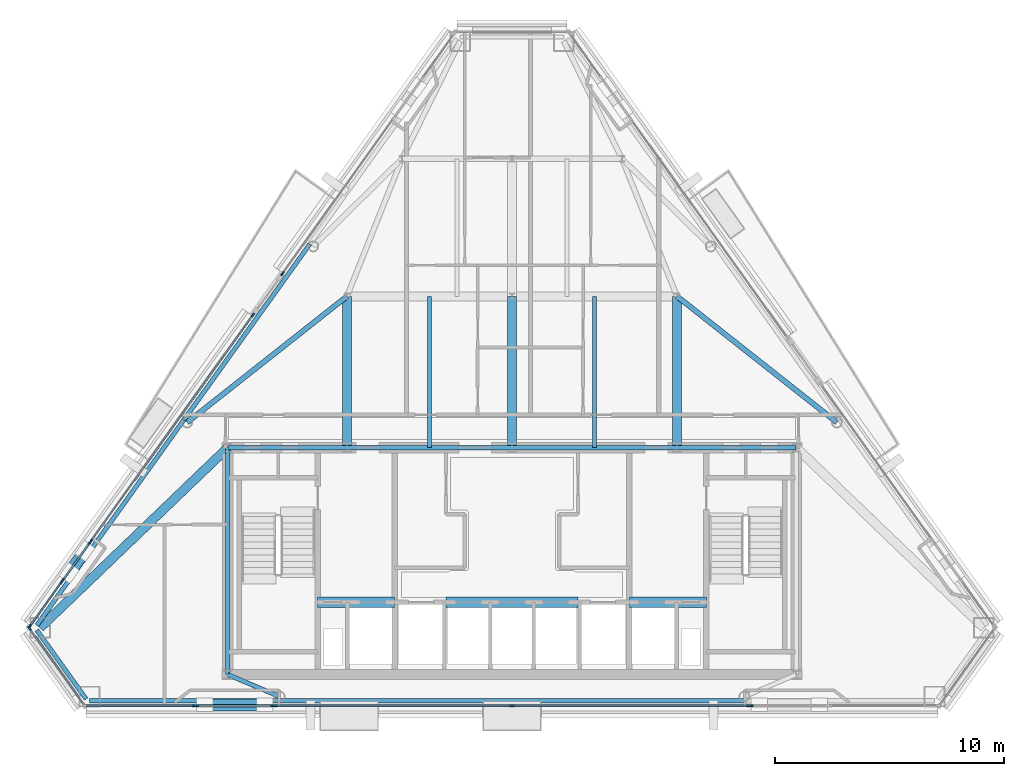
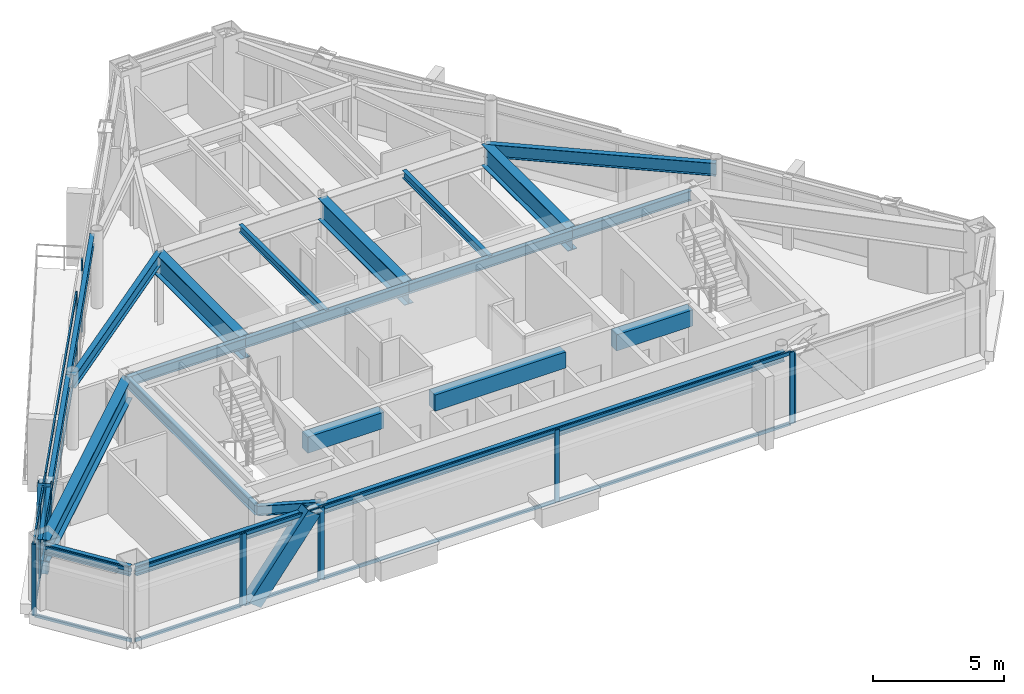
# One storey, part 4 of 12: 33 members, 22 beams, 9 elements without a shape of their own.
"""IFC4 building model written with IfcOpenShell, lengths in metres."""

from ifc_helpers import new_model, si_unit, direction, frame, origin, origin_2d, place, context, subcontext, project, spatial, rectangle, hollow_rectangle, i_section, extrude, material, layer, layer_set, material_profile, profile_set, type_object, element, aggregate, save


model = new_model("IFC4")

# Units and contexts
model_context = context("Model", 3, precision=1e-05, world=origin(), true_north=direction((0.0, 1.0)))
body_context = subcontext(model_context, "Body", "Model", "MODEL_VIEW")
ifc_project = project(units=[si_unit("LENGTHUNIT", "METRE"), si_unit("AREAUNIT", "SQUARE_METRE"), si_unit("VOLUMEUNIT", "CUBIC_METRE"), si_unit("PLANEANGLEUNIT", "RADIAN"), si_unit("MASSUNIT", "GRAM", prefix="KILO")], contexts=[model_context])

# Site, building, storey
site_placement = place(None, origin())
site = spatial("IfcSite", under=ifc_project, at=site_placement, CompositionType="ELEMENT")
building_placement = place(site_placement, origin())
building = spatial("IfcBuilding", under=site, at=building_placement, Name="Talgorran Terracotta Tower", CompositionType="ELEMENT")
storey_placement = place(building_placement, frame((0.0, 0.0, 249.0)))
storey = spatial("IfcBuildingStorey", under=building, at=storey_placement, Name="L65", CompositionType="ELEMENT", Elevation=249.0)

# Beams
ifc_material_1 = material(Name="Steel Grade 350 (350L0)", Category="steel")
ifc_material_profile_1 = material_profile(ifc_material_1, i_section(OverallWidth=0.39990234375, OverallDepth=1.0, WebThickness=0.01611328125, FlangeThickness=0.031005859375, at=origin_2d()), Name="1000WB296")
ifc_profile_set_1 = profile_set([ifc_material_profile_1], Name="Steel Grade 350 (350L0)")
beam_type_1 = type_object("IfcBeamType", Name="BM_1000WB296", PredefinedType="BEAM", material=ifc_profile_set_1)
for number, where, z_axis, x_axis, name in (
    (1, (-7.199951171875, -4.199951171875, 2.844970703125), (0.0, 1.0, 0.0), (-1.0, 0.0, 0.0), "L65 Floor Girder G01"),
    (2, (0.0, -4.199951171875, 2.844970703125), (0.0, 1.0, 0.0), (-1.0, 0.0, 0.0), "L65 Floor Girder G02"),
    (3, (7.199951171875, -4.199951171875, 2.844970703125), (0.0, 1.0, 0.0), (-1.0, 0.0, 0.0), "L65 Floor Girder G03"),
):
    element("IfcBeam", number, at=place(storey_placement, frame(where, z_axis=z_axis, x_axis=x_axis)), inside=storey, type_object=beam_type_1, Name=name, PredefinedType="BEAM", context=body_context, shape_type="SweptSolid", body=[
        extrude(i_section(OverallWidth=0.39990234375, OverallDepth=1.0, WebThickness=0.01611328125, FlangeThickness=0.031005859375, at=origin_2d()), origin(), (0.0, 0.0, 1.0), 6.599853515625),
    ])
beam_1_placement = place(storey_placement, frame((-12.39990234375, -4.199951171875, 2.844970703125), z_axis=(-0.721440209588, -0.692476731731, 0.0), x_axis=(0.692476731731, -0.721440209588, 0.0)))
element("IfcBeam", 4, at=beam_1_placement, inside=storey, type_object=beam_type_1, Name="L65 Floor Girder G17", PredefinedType="BEAM", context=body_context, shape_type="SweptSolid", body=[
    extrude(i_section(OverallWidth=0.39990234375, OverallDepth=1.0, WebThickness=0.01611328125, FlangeThickness=0.031005859375, at=origin_2d()), origin(), (0.0, 0.0, 1.0), 11.345703125),
])
ifc_material_2 = material(Name="Steel S355 (300PLUS)", Category="steel")
ifc_material_profile_2 = material_profile(ifc_material_2, i_section(OverallWidth=0.22802734375, OverallDepth=0.60205078125, WebThickness=0.010498046875, FlangeThickness=0.014892578125, at=origin_2d()), Name="610UB101")
ifc_profile_set_2 = profile_set([ifc_material_profile_2], Name="Steel S355 (300PLUS)")
beam_type_2 = type_object("IfcBeamType", Name="BM_610UB101", PredefinedType="BEAM", material=ifc_profile_set_2)
for number, where, z_axis, x_axis, name in (
    (5, (-7.199951171875, 2.39990234375, 3.0439453125), (-0.785110763938, -0.619355381302, 0.0), (0.619355381302, -0.785110763938, 0.0), "L65 Floor Girder G06"),
    (6, (7.199951171875, 2.39990234375, 3.0439453125), (0.785110763938, -0.619355381302, 0.0), (0.619355381302, 0.785110763938, 0.0), "L65 Floor Girder G07"),
):
    element("IfcBeam", number, at=place(storey_placement, frame(where, z_axis=z_axis, x_axis=x_axis)), inside=storey, type_object=beam_type_2, Name=name, PredefinedType="BEAM", context=body_context, shape_type="SweptSolid", body=[
        extrude(i_section(OverallWidth=0.22802734375, OverallDepth=0.60205078125, WebThickness=0.010498046875, FlangeThickness=0.014892578125, at=origin_2d()), origin(), (0.0, 0.0, 1.0), 8.878662109375),
    ])
ifc_material_3 = material(Name="Concrete C50/60", Category="concrete")
ifc_material_profile_3 = material_profile(ifc_material_3, rectangle(XDim=0.449951171875, YDim=0.75, at=origin_2d()), Name="RCCB450X750")
ifc_profile_set_3 = profile_set([ifc_material_profile_3], Name="Concrete C50/60")
beam_type_3 = type_object("IfcBeamType", Name="BM_CB_450X750", PredefinedType="LINTEL", material=ifc_profile_set_3)
beam_2_placement = place(storey_placement, frame((-8.47998046875, -10.949951171875, 2.969970703125), z_axis=(1.0, 0.0, 0.0), x_axis=(0.0, 1.0, 0.0)))
element("IfcBeam", 7, at=beam_2_placement, inside=storey, type_object=beam_type_3, Name="L65 Core Shear-Wall Coupling Beam CB1", PredefinedType="LINTEL", context=body_context, shape_type="SweptSolid", body=[
    extrude(rectangle(XDim=0.449951171875, YDim=0.75, at=origin_2d()), origin(), (0.0, 0.0, 1.0), 3.35986328125),
])
beam_3_placement = place(storey_placement, frame((-2.8798828125, -10.949951171875, 2.969970703125), z_axis=(1.0, 0.0, 0.0), x_axis=(0.0, 1.0, 0.0)))
element("IfcBeam", 8, at=beam_3_placement, inside=storey, type_object=beam_type_3, Name="L65 Core Shear-Wall Coupling Beam CB2", PredefinedType="LINTEL", context=body_context, shape_type="SweptSolid", body=[
    extrude(rectangle(XDim=0.449951171875, YDim=0.75, at=origin_2d()), origin(), (0.0, 0.0, 1.0), 5.759765625),
])
beam_4_placement = place(storey_placement, frame((5.1201171875, -10.949951171875, 2.969970703125), z_axis=(1.0, 0.0, 0.0), x_axis=(0.0, 1.0, 0.0)))
element("IfcBeam", 9, at=beam_4_placement, inside=storey, type_object=beam_type_3, Name="L65 Core Shear-Wall Coupling Beam CB3", PredefinedType="LINTEL", context=body_context, shape_type="SweptSolid", body=[
    extrude(rectangle(XDim=0.449951171875, YDim=0.75, at=origin_2d()), origin(), (0.0, 0.0, 1.0), 3.35986328125),
])
ifc_material_profile_4 = material_profile(ifc_material_2, i_section(OverallWidth=0.17138671875, OverallDepth=0.355712890625, WebThickness=0.00732421875, FlangeThickness=0.011474609375, at=origin_2d()), Name="360UB50.7")
ifc_profile_set_4 = profile_set([ifc_material_profile_4], Name="Steel S355 (300PLUS)")
beam_type_4 = type_object("IfcBeamType", Name="BM_JS_360UB51", PredefinedType="JOIST", material=ifc_profile_set_4)
for number, where, z_axis, x_axis, name in (
    (10, (-3.60009765625, -4.199951171875, 3.167236328125), (0.0, 1.0, 0.0), (-1.0, 0.0, 0.0), "L65 Secondary Joist J01"),
    (11, (3.60009765625, -4.199951171875, 3.167236328125), (0.0, 1.0, 0.0), (-1.0, 0.0, 0.0), "L65 Secondary Joist J02"),
):
    element("IfcBeam", number, at=place(storey_placement, frame(where, z_axis=z_axis, x_axis=x_axis)), inside=storey, type_object=beam_type_4, Name=name, PredefinedType="JOIST", context=body_context, shape_type="SweptSolid", body=[
        extrude(i_section(OverallWidth=0.17138671875, OverallDepth=0.355712890625, WebThickness=0.00732421875, FlangeThickness=0.011474609375, at=origin_2d()), origin(), (0.0, 0.0, 1.0), 6.599853515625),
    ])
ifc_material_profile_5 = material_profile(ifc_material_2, i_section(OverallWidth=0.18994140625, OverallDepth=0.45703125, WebThickness=0.009033203125, FlangeThickness=0.014404296875, at=origin_2d()), Name="460UB74.6")
ifc_profile_set_5 = profile_set([ifc_material_profile_5], Name="Steel S355 (300PLUS)")
beam_type_5 = type_object("IfcBeamType", Name="BM_SP_460UB74", PredefinedType="SPANDREL", material=ifc_profile_set_5)
beam_5_placement = place(storey_placement, frame((-20.7314453125, -12.16162109375, 3.116455078125), z_axis=(0.582224487769, -0.813028071989, 0.0), x_axis=(0.813028071989, 0.582224487769, 0.0)))
element("IfcBeam", 12, at=beam_5_placement, inside=storey, type_object=beam_type_5, Name="L65 Perimeter Spandrel Beam MC1-MC2", PredefinedType="SPANDREL", context=body_context, shape_type="SweptSolid", body=[
    extrude(i_section(OverallWidth=0.18994140625, OverallDepth=0.45703125, WebThickness=0.009033203125, FlangeThickness=0.014404296875, at=origin_2d()), origin(), (0.0, 0.0, 1.0), 3.697998046875),
])
beam_6_placement = place(storey_placement, frame((-18.43212890625, -15.243408203125, 3.116455078125), z_axis=(1.0, 0.0, 0.0), x_axis=(0.0, 1.0, 0.0)))
element("IfcBeam", 13, at=beam_6_placement, inside=storey, type_object=beam_type_5, Name="L65 Perimeter Spandrel Beam MC2-FC1", PredefinedType="SPANDREL", context=body_context, shape_type="SweptSolid", body=[
    extrude(i_section(OverallWidth=0.18994140625, OverallDepth=0.45703125, WebThickness=0.009033203125, FlangeThickness=0.014404296875, at=origin_2d()), origin(), (0.0, 0.0, 1.0), 8.29443359375),
])
beam_7_placement = place(storey_placement, frame((-10.1376953125, -15.243408203125, 3.116455078125), z_axis=(1.0, 0.0, 0.0), x_axis=(0.0, 1.0, 0.0)))
element("IfcBeam", 14, at=beam_7_placement, inside=storey, type_object=beam_type_5, Name="L65 Perimeter Spandrel Beam FC1-FC2", PredefinedType="SPANDREL", context=body_context, shape_type="SweptSolid", body=[
    extrude(i_section(OverallWidth=0.18994140625, OverallDepth=0.45703125, WebThickness=0.009033203125, FlangeThickness=0.014404296875, at=origin_2d()), origin(), (0.0, 0.0, 1.0), 20.275390625),
])
beam_8_placement = place(storey_placement, frame((-8.81884765625, 4.683837890625, 3.116455078125), z_axis=(-0.582203768418, -0.813042909102, 0.0), x_axis=(0.813042909102, -0.582203768418, 0.0)))
element("IfcBeam", 15, at=beam_8_placement, inside=storey, type_object=beam_type_5, Name="L65 Perimeter Spandrel Beam FC5-FC6", PredefinedType="SPANDREL", context=body_context, shape_type="SweptSolid", body=[
    extrude(i_section(OverallWidth=0.18994140625, OverallDepth=0.45703125, WebThickness=0.009033203125, FlangeThickness=0.014404296875, at=origin_2d()), origin(), (0.0, 0.0, 1.0), 9.443603515625),
])
beam_9_placement = place(storey_placement, frame((-14.31689453125, -2.994140625, 3.116455078125), z_axis=(-0.58220828918, -0.813039671855, 0.0), x_axis=(0.813039671855, -0.58220828918, 0.0)))
element("IfcBeam", 16, at=beam_9_placement, inside=storey, type_object=beam_type_5, Name="L65 Perimeter Spandrel Beam FC6-MC1", PredefinedType="SPANDREL", context=body_context, shape_type="SweptSolid", body=[
    extrude(i_section(OverallWidth=0.18994140625, OverallDepth=0.45703125, WebThickness=0.009033203125, FlangeThickness=0.014404296875, at=origin_2d()), origin(), (0.0, 0.0, 1.0), 11.017578125),
])
beam_10_placement = place(storey_placement, frame((-10.1376953125, -15.063232421875, 3.116455078125), z_axis=(-0.920082307349, 0.391725092002, 0.0), x_axis=(-0.391725092002, -0.920082307349, 0.0)))
element("IfcBeam", 17, at=beam_10_placement, inside=storey, type_object=beam_type_5, Name="L65 South-West Core Tie Beam", PredefinedType="SPANDREL", context=body_context, shape_type="SweptSolid", body=[
    extrude(i_section(OverallWidth=0.18994140625, OverallDepth=0.45703125, WebThickness=0.009033203125, FlangeThickness=0.014404296875, at=origin_2d()), origin(), (0.0, 0.0, 1.0), 2.458740234375),
])
beam_11_placement = place(storey_placement, frame((-12.39990234375, -14.10009765625, 3.116455078125), z_axis=(0.0, 1.0, 0.0), x_axis=(-1.0, 0.0, 0.0)))
element("IfcBeam", 18, at=beam_11_placement, inside=storey, type_object=beam_type_5, Name="L65 Core Frame Beam CFW", PredefinedType="SPANDREL", context=body_context, shape_type="SweptSolid", body=[
    extrude(i_section(OverallWidth=0.18994140625, OverallDepth=0.45703125, WebThickness=0.009033203125, FlangeThickness=0.014404296875, at=origin_2d()), origin(), (0.0, 0.0, 1.0), 9.900146484375),
])
beam_12_placement = place(storey_placement, frame((-12.39990234375, -4.199951171875, 3.116455078125), z_axis=(1.0, 0.0, 0.0), x_axis=(0.0, 1.0, 0.0)))
element("IfcBeam", 19, at=beam_12_placement, inside=storey, type_object=beam_type_5, Name="L65 Core Frame Beam CFN1", PredefinedType="SPANDREL", context=body_context, shape_type="SweptSolid", body=[
    extrude(i_section(OverallWidth=0.18994140625, OverallDepth=0.45703125, WebThickness=0.009033203125, FlangeThickness=0.014404296875, at=origin_2d()), origin(), (0.0, 0.0, 1.0), 5.199951171875),
])
for number, where, z_axis, x_axis, name in (
    (20, (-7.199951171875, -4.199951171875, 3.116455078125), (1.0, 0.0, 0.0), (0.0, 1.0, 0.0), "L65 Core Frame Beam CFN2"),
    (21, (0.0, -4.199951171875, 3.116455078125), (1.0, 0.0, 0.0), (0.0, 1.0, 0.0), "L65 Core Frame Beam CFN3"),
):
    element("IfcBeam", number, at=place(storey_placement, frame(where, z_axis=z_axis, x_axis=x_axis)), inside=storey, type_object=beam_type_5, Name=name, PredefinedType="SPANDREL", context=body_context, shape_type="SweptSolid", body=[
        extrude(i_section(OverallWidth=0.18994140625, OverallDepth=0.45703125, WebThickness=0.009033203125, FlangeThickness=0.014404296875, at=origin_2d()), origin(), (0.0, 0.0, 1.0), 7.199951171875),
    ])
beam_13_placement = place(storey_placement, frame((7.199951171875, -4.199951171875, 3.116455078125), z_axis=(1.0, 0.0, 0.0), x_axis=(0.0, 1.0, 0.0)))
element("IfcBeam", 22, at=beam_13_placement, inside=storey, type_object=beam_type_5, Name="L65 Core Frame Beam CFN4", PredefinedType="SPANDREL", context=body_context, shape_type="SweptSolid", body=[
    extrude(i_section(OverallWidth=0.18994140625, OverallDepth=0.45703125, WebThickness=0.009033203125, FlangeThickness=0.014404296875, at=origin_2d()), origin(), (0.0, 0.0, 1.0), 5.199951171875),
])

# Members
ifc_material_profile_6 = material_profile(ifc_material_1, hollow_rectangle(XDim=0.52001953125, YDim=0.659912109375, WallThickness=0.034912109375, at=origin_2d()), Name="WBOX660X520X35")
ifc_profile_set_6 = profile_set([ifc_material_profile_6], Name="Steel Grade 350 (350L0)")
member_type_1 = type_object("IfcMemberType", Name="MB_MEGA_660", PredefinedType="BRACE", material=ifc_profile_set_6)
member_1_placement = place(storey_placement, frame((-13.404296875, -15.42333984375, -0.02490234375), z_axis=(0.608960696273, 0.0, 0.793200397374), x_axis=(0.0, 1.0, 0.0)))
element("IfcMember", 23, at=member_1_placement, inside=storey, type_object=member_type_1, Name="L65 Exterior Face Mega-Brace MB-3 (SWF)", PredefinedType="BRACE", context=body_context, shape_type="SweptSolid", body=[
    extrude(hollow_rectangle(XDim=0.52001953125, YDim=0.659912109375, WallThickness=0.034912109375, at=origin_2d()), origin(), (0.0, 0.0, 1.0), 4.2802734375),
])
member_2_placement = place(storey_placement, frame((-19.318115234375, -9.6689453125, -0.02490234375), z_axis=(0.191261638386, 0.267127849351, 0.944490178765), x_axis=(-0.813076438764, 0.582156941663, 0.0)))
element("IfcMember", 24, at=member_2_placement, inside=storey, type_object=member_type_1, Name="L65 Exterior Face Mega-Brace MB-3 (NWL)", PredefinedType="BRACE", context=body_context, shape_type="SweptSolid", body=[
    extrude(hollow_rectangle(XDim=0.52001953125, YDim=0.659912109375, WallThickness=0.034912109375, at=origin_2d()), origin(), (0.0, 0.0, 1.0), 3.594482421875),
])

# Curtain wall, member
ifc_material_4 = material(Name="High-Wind Unitised Glazing", Category="glass")
ifc_layer = layer(ifc_material_4, 0.2099609375, Name="CW_SYS3_RES_HIGH")
ifc_layer_set = layer_set([ifc_layer], Name="High-Wind Unitised Glazing")
curtain_wall_type = type_object("IfcCurtainWallType", Name="CW_SYS3_RES_HIGH", PredefinedType="NOTDEFINED", material=ifc_layer_set)
curtain_wall_1_placement = place(storey_placement, origin())
curtain_wall_1 = element("IfcCurtainWall", 25, at=curtain_wall_1_placement, inside=storey, type_object=curtain_wall_type, Name="CW-L65-F0", PredefinedType="NOTDEFINED")
ifc_material_5 = material(Name="Architectural Aluminium 6063-T6", Category="aluminium")
ifc_material_profile_7 = material_profile(ifc_material_5, rectangle(XDim=0.070068359375, YDim=0.199951171875, at=origin_2d()), Name="CWM70X200")
ifc_profile_set_7 = profile_set([ifc_material_profile_7], Name="Architectural Aluminium 6063-T6")
member_type_2 = type_object("IfcMemberType", Name="MUL_70X200", PredefinedType="MULLION", material=ifc_profile_set_7)
member_3_placement = place(storey_placement, frame((-21.056640625, -12.085205078125, 0.0), z_axis=(0.0, 0.0, 1.0), x_axis=(0.813031401137, 0.582219838862, 0.0)))
member_3 = element("IfcMember", 26, at=member_3_placement, type_object=member_type_2, Name="CW-L65-0 mullion 1", PredefinedType="MULLION", context=body_context, shape_type="SweptSolid", body=[
    extrude(rectangle(XDim=0.070068359375, YDim=0.199951171875, at=origin_2d()), origin(), (0.0, 0.0, 1.0), 3.344970703125),
])

curtain_wall_2_placement = place(storey_placement, origin())
curtain_wall_2 = element("IfcCurtainWall", 27, at=curtain_wall_2_placement, inside=storey, type_object=curtain_wall_type, Name="CW-L65-F1", PredefinedType="NOTDEFINED")
member_4_placement = place(storey_placement, frame((-13.856201171875, -15.46337890625, 0.0), z_axis=(0.0, 0.0, 1.0), x_axis=(0.0, 1.0, 0.0)))
member_4 = element("IfcMember", 28, at=member_4_placement, type_object=member_type_2, Name="CW-L65-1 mullion 2", PredefinedType="MULLION", context=body_context, shape_type="SweptSolid", body=[
    extrude(rectangle(XDim=0.070068359375, YDim=0.199951171875, at=origin_2d()), origin(), (0.0, 0.0, 1.0), 3.344970703125),
])

# Curtain wall, members
curtain_wall_3_placement = place(storey_placement, origin())
curtain_wall_3 = element("IfcCurtainWall", 29, at=curtain_wall_3_placement, inside=storey, type_object=curtain_wall_type, Name="CW-L65-F1B", PredefinedType="NOTDEFINED")
member_5_placement = place(storey_placement, frame((-13.776123046875, -15.46337890625, 0.0), z_axis=(0.0, 0.0, 1.0), x_axis=(0.0, 1.0, 0.0)))
member_5 = element("IfcMember", 30, at=member_5_placement, type_object=member_type_2, Name="CW-L65-1B mullion 1", PredefinedType="MULLION", context=body_context, shape_type="SweptSolid", body=[
    extrude(rectangle(XDim=0.070068359375, YDim=0.199951171875, at=origin_2d()), origin(), (0.0, 0.0, 1.0), 3.344970703125),
])
member_6_placement = place(storey_placement, frame((-10.426025390625, -15.46337890625, 0.0), z_axis=(0.0, 0.0, 1.0), x_axis=(0.0, 1.0, 0.0)))
member_6 = element("IfcMember", 31, at=member_6_placement, type_object=member_type_2, Name="CW-L65-1B mullion 2", PredefinedType="MULLION", context=body_context, shape_type="SweptSolid", body=[
    extrude(rectangle(XDim=0.070068359375, YDim=0.199951171875, at=origin_2d()), origin(), (0.0, 0.0, 1.0), 3.344970703125),
])

curtain_wall_4_placement = place(storey_placement, origin())
curtain_wall_4 = element("IfcCurtainWall", 32, at=curtain_wall_4_placement, inside=storey, type_object=curtain_wall_type, Name="CW-L65-F1C", PredefinedType="NOTDEFINED")
member_7_placement = place(storey_placement, frame((-10.34619140625, -15.46337890625, 0.0), z_axis=(0.0, 0.0, 1.0), x_axis=(0.0, 1.0, 0.0)))
member_7 = element("IfcMember", 33, at=member_7_placement, type_object=member_type_2, Name="CW-L65-1C mullion 1", PredefinedType="MULLION", context=body_context, shape_type="SweptSolid", body=[
    extrude(rectangle(XDim=0.070068359375, YDim=0.199951171875, at=origin_2d()), origin(), (0.0, 0.0, 1.0), 3.344970703125),
])
member_8_placement = place(storey_placement, frame((0.0, -15.46337890625, 0.0), z_axis=(0.0, 0.0, 1.0), x_axis=(0.0, 1.0, 0.0)))
member_8 = element("IfcMember", 34, at=member_8_placement, type_object=member_type_2, Name="CW-L65-1C mullion 2", PredefinedType="MULLION", context=body_context, shape_type="SweptSolid", body=[
    extrude(rectangle(XDim=0.070068359375, YDim=0.199951171875, at=origin_2d()), origin(), (0.0, 0.0, 1.0), 3.344970703125),
])
member_9_placement = place(storey_placement, frame((10.34619140625, -15.46337890625, 0.0), z_axis=(0.0, 0.0, 1.0), x_axis=(0.0, 1.0, 0.0)))
member_9 = element("IfcMember", 35, at=member_9_placement, type_object=member_type_2, Name="CW-L65-1C mullion 3", PredefinedType="MULLION", context=body_context, shape_type="SweptSolid", body=[
    extrude(rectangle(XDim=0.070068359375, YDim=0.199951171875, at=origin_2d()), origin(), (0.0, 0.0, 1.0), 3.344970703125),
])

# Curtain wall, member
curtain_wall_5_placement = place(storey_placement, origin())
curtain_wall_5 = element("IfcCurtainWall", 36, at=curtain_wall_5_placement, inside=storey, type_object=curtain_wall_type, Name="CW-L65-F1D", PredefinedType="NOTDEFINED")
member_10_placement = place(storey_placement, frame((10.426025390625, -15.46337890625, 0.0), z_axis=(0.0, 0.0, 1.0), x_axis=(0.0, 1.0, 0.0)))
member_10 = element("IfcMember", 37, at=member_10_placement, type_object=member_type_2, Name="CW-L65-1D mullion 1", PredefinedType="MULLION", context=body_context, shape_type="SweptSolid", body=[
    extrude(rectangle(XDim=0.070068359375, YDim=0.199951171875, at=origin_2d()), origin(), (0.0, 0.0, 1.0), 3.344970703125),
])
aggregate(curtain_wall_5, [member_10])

curtain_wall_6_placement = place(storey_placement, origin())
curtain_wall_6 = element("IfcCurtainWall", 38, at=curtain_wall_6_placement, inside=storey, type_object=curtain_wall_type, Name="CW-L65-F60C", PredefinedType="NOTDEFINED")
member_11_placement = place(storey_placement, frame((-10.01318359375, 3.39404296875, 0.0), z_axis=(0.0, 0.0, 1.0), x_axis=(0.813040078388, -0.582207721467, 0.0)))
member_11 = element("IfcMember", 39, at=member_11_placement, type_object=member_type_2, Name="CW-L65-60C mullion 2", PredefinedType="MULLION", context=body_context, shape_type="SweptSolid", body=[
    extrude(rectangle(XDim=0.070068359375, YDim=0.199951171875, at=origin_2d()), origin(), (0.0, 0.0, 1.0), 3.344970703125),
])
aggregate(curtain_wall_6, [member_11])

# Curtain wall, members
curtain_wall_7_placement = place(storey_placement, origin())
curtain_wall_7 = element("IfcCurtainWall", 40, at=curtain_wall_7_placement, inside=storey, type_object=curtain_wall_type, Name="CW-L65-F61", PredefinedType="NOTDEFINED")
member_12_placement = place(storey_placement, frame((-11.311279296875, 1.5810546875, 0.0), z_axis=(0.0, 0.0, 1.0), x_axis=(0.813039790656, -0.582208123277, 0.0)))
member_12 = element("IfcMember", 41, at=member_12_placement, type_object=member_type_2, Name="CW-L65-61 mullion 1", PredefinedType="MULLION", context=body_context, shape_type="SweptSolid", body=[
    extrude(rectangle(XDim=0.070068359375, YDim=0.199951171875, at=origin_2d()), origin(), (0.0, 0.0, 1.0), 3.344970703125),
])
member_13_placement = place(storey_placement, frame((-18.370849609375, -8.277587890625, 0.0), z_axis=(0.0, 0.0, 1.0), x_axis=(0.813039790656, -0.582208123277, 0.0)))
member_13 = element("IfcMember", 42, at=member_13_placement, type_object=member_type_2, Name="CW-L65-61 mullion 2", PredefinedType="MULLION", context=body_context, shape_type="SweptSolid", body=[
    extrude(rectangle(XDim=0.070068359375, YDim=0.199951171875, at=origin_2d()), origin(), (0.0, 0.0, 1.0), 3.344970703125),
])

curtain_wall_8_placement = place(storey_placement, origin())
curtain_wall_8 = element("IfcCurtainWall", 43, at=curtain_wall_8_placement, inside=storey, type_object=curtain_wall_type, Name="CW-L65-F61B", PredefinedType="NOTDEFINED")
member_14_placement = place(storey_placement, frame((-18.41748046875, -8.342529296875, 0.0), z_axis=(0.0, 0.0, 1.0), x_axis=(0.813045764946, -0.582199780234, 0.0)))
member_14 = element("IfcMember", 44, at=member_14_placement, type_object=member_type_2, Name="CW-L65-61B mullion 1", PredefinedType="MULLION", context=body_context, shape_type="SweptSolid", body=[
    extrude(rectangle(XDim=0.070068359375, YDim=0.199951171875, at=origin_2d()), origin(), (0.0, 0.0, 1.0), 3.344970703125),
])
member_15_placement = place(storey_placement, frame((-19.59619140625, -9.988525390625, 0.0), z_axis=(0.0, 0.0, 1.0), x_axis=(0.813045764946, -0.582199780234, 0.0)))
member_15 = element("IfcMember", 45, at=member_15_placement, type_object=member_type_2, Name="CW-L65-61B mullion 2", PredefinedType="MULLION", context=body_context, shape_type="SweptSolid", body=[
    extrude(rectangle(XDim=0.070068359375, YDim=0.199951171875, at=origin_2d()), origin(), (0.0, 0.0, 1.0), 3.344970703125),
])

curtain_wall_9_placement = place(storey_placement, origin())
curtain_wall_9 = element("IfcCurtainWall", 46, at=curtain_wall_9_placement, inside=storey, type_object=curtain_wall_type, Name="CW-L65-F61C", PredefinedType="NOTDEFINED")
member_16_placement = place(storey_placement, frame((-19.642578125, -10.0537109375, 0.0), z_axis=(0.0, 0.0, 1.0), x_axis=(0.813032113235, -0.582218844464, 0.0)))
member_16 = element("IfcMember", 47, at=member_16_placement, type_object=member_type_2, Name="CW-L65-61C mullion 1", PredefinedType="MULLION", context=body_context, shape_type="SweptSolid", body=[
    extrude(rectangle(XDim=0.070068359375, YDim=0.199951171875, at=origin_2d()), origin(), (0.0, 0.0, 1.0), 3.344970703125),
])
member_17_placement = place(storey_placement, frame((-21.033447265625, -11.995849609375, 0.0), z_axis=(0.0, 0.0, 1.0), x_axis=(0.813032113235, -0.582218844464, 0.0)))
member_17 = element("IfcMember", 48, at=member_17_placement, type_object=member_type_2, Name="CW-L65-61C mullion 2", PredefinedType="MULLION", context=body_context, shape_type="SweptSolid", body=[
    extrude(rectangle(XDim=0.070068359375, YDim=0.199951171875, at=origin_2d()), origin(), (0.0, 0.0, 1.0), 3.344970703125),
])

# Member
ifc_material_profile_8 = material_profile(ifc_material_5, rectangle(XDim=0.070068359375, YDim=0.159912109375, at=origin_2d()), Name="CWT70X160")
ifc_profile_set_8 = profile_set([ifc_material_profile_8], Name="Architectural Aluminium 6063-T6")
member_type_3 = type_object("IfcMemberType", Name="TRN_70X160", PredefinedType="USERDEFINED", material=ifc_profile_set_8)
member_18_placement = place(storey_placement, frame((-21.036376953125, -12.113525390625, 0.034912109375), z_axis=(0.582184359595, -0.813056807021, 0.0), x_axis=(0.813056807021, 0.582184359595, 0.0)))
member_18 = element("IfcMember", 49, at=member_18_placement, type_object=member_type_3, Name="CW-L65-0 transom 1.1", ObjectType="TRANSOM", PredefinedType="USERDEFINED", context=body_context, shape_type="SweptSolid", body=[
    extrude(rectangle(XDim=0.070068359375, YDim=0.159912109375, at=origin_2d()), origin(), (0.0, 0.0, 1.0), 4.050048828125),
])

member_19_placement = place(storey_placement, frame((-21.036376953125, -12.113525390625, 3.31005859375), z_axis=(0.582184359595, -0.813056807021, 0.0), x_axis=(0.813056807021, 0.582184359595, 0.0)))
member_19 = element("IfcMember", 50, at=member_19_placement, type_object=member_type_3, Name="CW-L65-0 transom 1.2", ObjectType="TRANSOM", PredefinedType="USERDEFINED", context=body_context, shape_type="SweptSolid", body=[
    extrude(rectangle(XDim=0.070068359375, YDim=0.159912109375, at=origin_2d()), origin(), (0.0, 0.0, 1.0), 4.050048828125),
])

aggregate(curtain_wall_1, [member_3, member_18, member_19])

member_20_placement = place(storey_placement, frame((-18.567626953125, -15.46337890625, 0.034912109375), z_axis=(1.0, 0.0, 0.0), x_axis=(0.0, 1.0, 0.0)))
member_20 = element("IfcMember", 51, at=member_20_placement, type_object=member_type_3, Name="CW-L65-1 transom 1.1", ObjectType="TRANSOM", PredefinedType="USERDEFINED", context=body_context, shape_type="SweptSolid", body=[
    extrude(rectangle(XDim=0.070068359375, YDim=0.159912109375, at=origin_2d()), origin(), (0.0, 0.0, 1.0), 4.676513671875),
])

member_21_placement = place(storey_placement, frame((-18.567626953125, -15.46337890625, 3.31005859375), z_axis=(1.0, 0.0, 0.0), x_axis=(0.0, 1.0, 0.0)))
member_21 = element("IfcMember", 52, at=member_21_placement, type_object=member_type_3, Name="CW-L65-1 transom 1.2", ObjectType="TRANSOM", PredefinedType="USERDEFINED", context=body_context, shape_type="SweptSolid", body=[
    extrude(rectangle(XDim=0.070068359375, YDim=0.159912109375, at=origin_2d()), origin(), (0.0, 0.0, 1.0), 4.676513671875),
])

aggregate(curtain_wall_2, [member_4, member_20, member_21])

member_22_placement = place(storey_placement, frame((-13.7412109375, -15.46337890625, 0.034912109375), z_axis=(1.0, 0.0, 0.0), x_axis=(0.0, 1.0, 0.0)))
member_22 = element("IfcMember", 53, at=member_22_placement, type_object=member_type_3, Name="CW-L65-1B transom 1.1", ObjectType="TRANSOM", PredefinedType="USERDEFINED", context=body_context, shape_type="SweptSolid", body=[
    extrude(rectangle(XDim=0.070068359375, YDim=0.159912109375, at=origin_2d()), origin(), (0.0, 0.0, 1.0), 3.280029296875),
])

member_23_placement = place(storey_placement, frame((-13.7412109375, -15.46337890625, 3.31005859375), z_axis=(1.0, 0.0, 0.0), x_axis=(0.0, 1.0, 0.0)))
member_23 = element("IfcMember", 54, at=member_23_placement, type_object=member_type_3, Name="CW-L65-1B transom 1.2", ObjectType="TRANSOM", PredefinedType="USERDEFINED", context=body_context, shape_type="SweptSolid", body=[
    extrude(rectangle(XDim=0.070068359375, YDim=0.159912109375, at=origin_2d()), origin(), (0.0, 0.0, 1.0), 3.280029296875),
])

aggregate(curtain_wall_3, [member_5, member_6, member_22, member_23])

member_24_placement = place(storey_placement, frame((-10.31103515625, -15.46337890625, 0.034912109375), z_axis=(1.0, 0.0, 0.0), x_axis=(0.0, 1.0, 0.0)))
member_24 = element("IfcMember", 55, at=member_24_placement, type_object=member_type_3, Name="CW-L65-1C transom 1.1", ObjectType="TRANSOM", PredefinedType="USERDEFINED", context=body_context, shape_type="SweptSolid", body=[
    extrude(rectangle(XDim=0.070068359375, YDim=0.159912109375, at=origin_2d()), origin(), (0.0, 0.0, 1.0), 10.276123046875),
])

member_25_placement = place(storey_placement, frame((-10.31103515625, -15.46337890625, 3.31005859375), z_axis=(1.0, 0.0, 0.0), x_axis=(0.0, 1.0, 0.0)))
member_25 = element("IfcMember", 56, at=member_25_placement, type_object=member_type_3, Name="CW-L65-1C transom 1.2", ObjectType="TRANSOM", PredefinedType="USERDEFINED", context=body_context, shape_type="SweptSolid", body=[
    extrude(rectangle(XDim=0.070068359375, YDim=0.159912109375, at=origin_2d()), origin(), (0.0, 0.0, 1.0), 10.276123046875),
])

member_26_placement = place(storey_placement, frame((0.034912109375, -15.46337890625, 0.034912109375), z_axis=(1.0, 0.0, 0.0), x_axis=(0.0, 1.0, 0.0)))
member_26 = element("IfcMember", 57, at=member_26_placement, type_object=member_type_3, Name="CW-L65-1C transom 2.1", ObjectType="TRANSOM", PredefinedType="USERDEFINED", context=body_context, shape_type="SweptSolid", body=[
    extrude(rectangle(XDim=0.070068359375, YDim=0.159912109375, at=origin_2d()), origin(), (0.0, 0.0, 1.0), 10.276123046875),
])

member_27_placement = place(storey_placement, frame((0.034912109375, -15.46337890625, 3.31005859375), z_axis=(1.0, 0.0, 0.0), x_axis=(0.0, 1.0, 0.0)))
member_27 = element("IfcMember", 58, at=member_27_placement, type_object=member_type_3, Name="CW-L65-1C transom 2.2", ObjectType="TRANSOM", PredefinedType="USERDEFINED", context=body_context, shape_type="SweptSolid", body=[
    extrude(rectangle(XDim=0.070068359375, YDim=0.159912109375, at=origin_2d()), origin(), (0.0, 0.0, 1.0), 10.276123046875),
])

aggregate(curtain_wall_4, [member_7, member_8, member_9, member_24, member_25, member_26, member_27])

member_28_placement = place(storey_placement, frame((-11.331787109375, 1.552490234375, 0.034912109375), z_axis=(-0.582210945694, -0.81303776955, 0.0), x_axis=(0.81303776955, -0.582210945694, 0.0)))
member_28 = element("IfcMember", 59, at=member_28_placement, type_object=member_type_3, Name="CW-L65-61 transom 1.1", ObjectType="TRANSOM", PredefinedType="USERDEFINED", context=body_context, shape_type="SweptSolid", body=[
    extrude(rectangle(XDim=0.070068359375, YDim=0.159912109375, at=origin_2d()), origin(), (0.0, 0.0, 1.0), 12.055419921875),
])

member_29_placement = place(storey_placement, frame((-11.331787109375, 1.552490234375, 3.31005859375), z_axis=(-0.582210945694, -0.81303776955, 0.0), x_axis=(0.81303776955, -0.582210945694, 0.0)))
member_29 = element("IfcMember", 60, at=member_29_placement, type_object=member_type_3, Name="CW-L65-61 transom 1.2", ObjectType="TRANSOM", PredefinedType="USERDEFINED", context=body_context, shape_type="SweptSolid", body=[
    extrude(rectangle(XDim=0.070068359375, YDim=0.159912109375, at=origin_2d()), origin(), (0.0, 0.0, 1.0), 12.055419921875),
])

aggregate(curtain_wall_7, [member_12, member_13, member_28, member_29])

member_30_placement = place(storey_placement, frame((-18.437744140625, -8.37109375, 0.034912109375), z_axis=(-0.582206680135, -0.813040824071, 0.0), x_axis=(0.813040824071, -0.582206680135, 0.0)))
member_30 = element("IfcMember", 61, at=member_30_placement, type_object=member_type_3, Name="CW-L65-61B transom 1.1", ObjectType="TRANSOM", PredefinedType="USERDEFINED", context=body_context, shape_type="SweptSolid", body=[
    extrude(rectangle(XDim=0.070068359375, YDim=0.159912109375, at=origin_2d()), origin(), (0.0, 0.0, 1.0), 1.95458984375),
])

member_31_placement = place(storey_placement, frame((-18.437744140625, -8.37109375, 3.31005859375), z_axis=(-0.582206680135, -0.813040824071, 0.0), x_axis=(0.813040824071, -0.582206680135, 0.0)))
member_31 = element("IfcMember", 62, at=member_31_placement, type_object=member_type_3, Name="CW-L65-61B transom 1.2", ObjectType="TRANSOM", PredefinedType="USERDEFINED", context=body_context, shape_type="SweptSolid", body=[
    extrude(rectangle(XDim=0.070068359375, YDim=0.159912109375, at=origin_2d()), origin(), (0.0, 0.0, 1.0), 1.95458984375),
])

aggregate(curtain_wall_8, [member_14, member_15, member_30, member_31])

member_32_placement = place(storey_placement, frame((-19.6630859375, -10.08203125, 0.034912109375), z_axis=(-0.582164109552, -0.813071306559, 0.0), x_axis=(0.813071306559, -0.582164109552, 0.0)))
member_32 = element("IfcMember", 63, at=member_32_placement, type_object=member_type_3, Name="CW-L65-61C transom 1.1", ObjectType="TRANSOM", PredefinedType="USERDEFINED", context=body_context, shape_type="SweptSolid", body=[
    extrude(rectangle(XDim=0.070068359375, YDim=0.159912109375, at=origin_2d()), origin(), (0.0, 0.0, 1.0), 2.318603515625),
])

member_33_placement = place(storey_placement, frame((-19.6630859375, -10.08203125, 3.31005859375), z_axis=(-0.582164109552, -0.813071306559, 0.0), x_axis=(0.813071306559, -0.582164109552, 0.0)))
member_33 = element("IfcMember", 64, at=member_33_placement, type_object=member_type_3, Name="CW-L65-61C transom 1.2", ObjectType="TRANSOM", PredefinedType="USERDEFINED", context=body_context, shape_type="SweptSolid", body=[
    extrude(rectangle(XDim=0.070068359375, YDim=0.159912109375, at=origin_2d()), origin(), (0.0, 0.0, 1.0), 2.318603515625),
])

aggregate(curtain_wall_9, [member_16, member_17, member_32, member_33])

save(model, "model.ifc")
